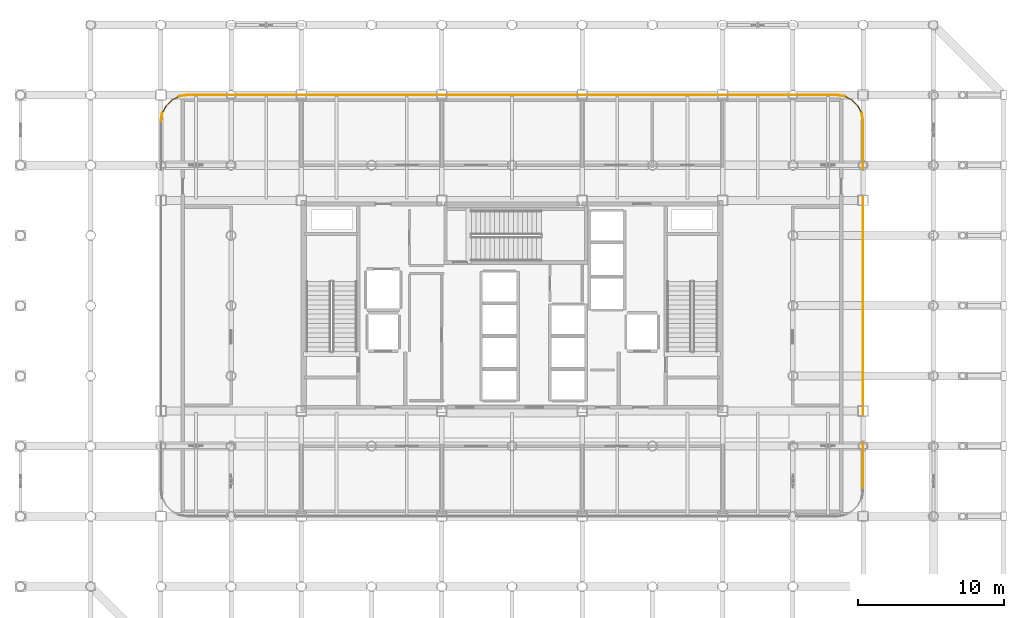
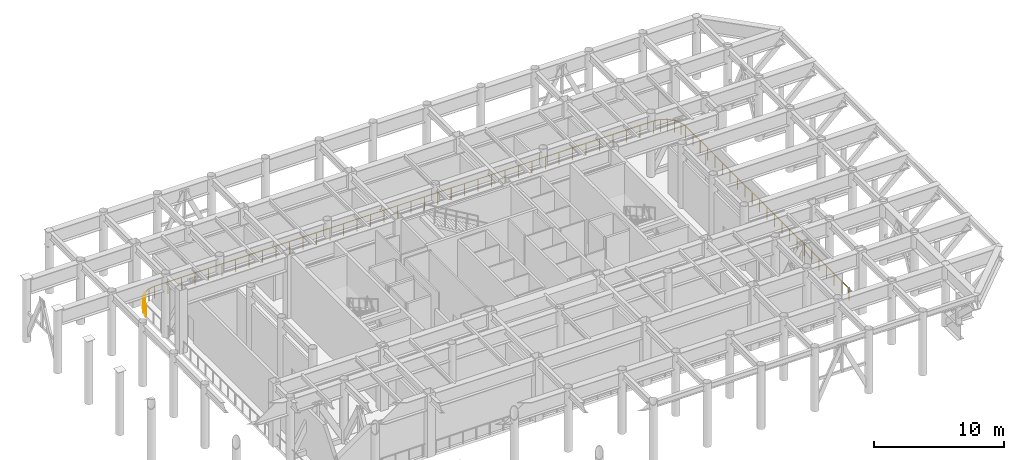
# One storey, part 20 of 20: 12 railings.
"""IFC4 building model written with IfcOpenShell, lengths in metres."""

from ifc_helpers import new_model, si_unit, direction, frame, origin, origin_2d, place, context, subcontext, project, spatial, circle, extrude, material, layer, layer_set, type_object, element, save


model = new_model("IFC4")

# Units and contexts
model_context = context("Model", 3, precision=1e-05, world=origin(), true_north=direction((0.0, 1.0)))
body_context = subcontext(model_context, "Body", "Model", "MODEL_VIEW")
ifc_project = project(units=[si_unit("LENGTHUNIT", "METRE"), si_unit("AREAUNIT", "SQUARE_METRE"), si_unit("VOLUMEUNIT", "CUBIC_METRE"), si_unit("PLANEANGLEUNIT", "RADIAN"), si_unit("MASSUNIT", "GRAM", prefix="KILO")], contexts=[model_context])

# Site, building, storey
site_placement = place(None, origin())
site = spatial("IfcSite", under=ifc_project, at=site_placement, CompositionType="ELEMENT")
building_placement = place(site_placement, origin())
building = spatial("IfcBuilding", under=site, at=building_placement, Name="Kallvorn Hotel Tower", CompositionType="ELEMENT")
storey_placement = place(building_placement, frame((0.0, 0.0, 185.5)))
storey = spatial("IfcBuildingStorey", under=building, at=storey_placement, Name="L46", CompositionType="ELEMENT", Elevation=185.5)

# Railings
ifc_material = material(Name="Galvanised painted steel S275JR balustrade", Category="steel")
ifc_layer = layer(ifc_material, 0.06005859375)
ifc_layer_set = layer_set([ifc_layer], Name="RL_WIND_GUARD_1150")
railing_type = type_object("IfcRailingType", Name="RL_WIND_GUARD_1150", PredefinedType="GUARDRAIL", material=ifc_layer_set)
railing_1_placement = place(storey_placement, frame((24.0, -12.60009765625, 0.0)))
element("IfcRailing", 1, at=railing_1_placement, inside=storey, type_object=railing_type, Name="L46 Exterior Safety Guardrail WIND-L46-06", PredefinedType="GUARDRAIL", context=body_context, shape_type="SweptSolid", body=[
    extrude(circle(Radius=0.02392578125, at=origin_2d()), frame((0.0, 0.0, 1.1259765625), z_axis=(0.0, 1.0, 0.0), x_axis=(-1.0, 0.0, 0.0)), (0.0, 0.0, 1.0), 25.2001953125),
    extrude(circle(Radius=0.02099609375, at=origin_2d()), origin(), (0.0, 0.0, 1.0), 1.101806640625),
    extrude(circle(Radius=0.02099609375, at=origin_2d()), frame((0.0, 1.1455078125, 0.0)), (0.0, 0.0, 1.0), 1.101806640625),
    extrude(circle(Radius=0.02099609375, at=origin_2d()), frame((0.0, 2.291015625, 0.0)), (0.0, 0.0, 1.0), 1.101806640625),
    extrude(circle(Radius=0.02099609375, at=origin_2d()), frame((0.0, 3.436279296875, 0.0)), (0.0, 0.0, 1.0), 1.101806640625),
    extrude(circle(Radius=0.02099609375, at=origin_2d()), frame((0.0, 4.581787109375, 0.0)), (0.0, 0.0, 1.0), 1.101806640625),
    extrude(circle(Radius=0.02099609375, at=origin_2d()), frame((0.0, 5.727294921875, 0.0)), (0.0, 0.0, 1.0), 1.101806640625),
    extrude(circle(Radius=0.02099609375, at=origin_2d()), frame((0.0, 6.872802734375, 0.0)), (0.0, 0.0, 1.0), 1.101806640625),
    extrude(circle(Radius=0.02099609375, at=origin_2d()), frame((0.0, 8.018310546875, 0.0)), (0.0, 0.0, 1.0), 1.101806640625),
    extrude(circle(Radius=0.02099609375, at=origin_2d()), frame((0.0, 9.163818359375, 0.0)), (0.0, 0.0, 1.0), 1.101806640625),
    extrude(circle(Radius=0.02099609375, at=origin_2d()), frame((0.0, 10.30908203125, 0.0)), (0.0, 0.0, 1.0), 1.101806640625),
    extrude(circle(Radius=0.02099609375, at=origin_2d()), frame((0.0, 11.45458984375, 0.0)), (0.0, 0.0, 1.0), 1.101806640625),
    extrude(circle(Radius=0.02099609375, at=origin_2d()), frame((0.0, 12.60009765625, 0.0)), (0.0, 0.0, 1.0), 1.101806640625),
    extrude(circle(Radius=0.02099609375, at=origin_2d()), frame((0.0, 13.74560546875, 0.0)), (0.0, 0.0, 1.0), 1.101806640625),
    extrude(circle(Radius=0.02099609375, at=origin_2d()), frame((0.0, 14.89111328125, 0.0)), (0.0, 0.0, 1.0), 1.101806640625),
    extrude(circle(Radius=0.02099609375, at=origin_2d()), frame((0.0, 16.036376953125, 0.0)), (0.0, 0.0, 1.0), 1.101806640625),
    extrude(circle(Radius=0.02099609375, at=origin_2d()), frame((0.0, 17.181884765625, 0.0)), (0.0, 0.0, 1.0), 1.101806640625),
    extrude(circle(Radius=0.02099609375, at=origin_2d()), frame((0.0, 18.327392578125, 0.0)), (0.0, 0.0, 1.0), 1.101806640625),
    extrude(circle(Radius=0.02099609375, at=origin_2d()), frame((0.0, 19.472900390625, 0.0)), (0.0, 0.0, 1.0), 1.101806640625),
    extrude(circle(Radius=0.02099609375, at=origin_2d()), frame((0.0, 20.618408203125, 0.0)), (0.0, 0.0, 1.0), 1.101806640625),
    extrude(circle(Radius=0.02099609375, at=origin_2d()), frame((0.0, 21.763916015625, 0.0)), (0.0, 0.0, 1.0), 1.101806640625),
    extrude(circle(Radius=0.02099609375, at=origin_2d()), frame((0.0, 22.9091796875, 0.0)), (0.0, 0.0, 1.0), 1.101806640625),
    extrude(circle(Radius=0.02099609375, at=origin_2d()), frame((0.0, 24.0546875, 0.0)), (0.0, 0.0, 1.0), 1.101806640625),
    extrude(circle(Radius=0.02099609375, at=origin_2d()), frame((0.0, 25.2001953125, 0.0)), (0.0, 0.0, 1.0), 1.101806640625),
])
railing_2_placement = place(storey_placement, frame((24.0, 12.60009765625, 0.0)))
element("IfcRailing", 2, at=railing_2_placement, inside=storey, type_object=railing_type, Name="L46 Exterior Safety Guardrail WIND-L46-07", PredefinedType="GUARDRAIL", context=body_context, shape_type="SweptSolid", body=[
    extrude(circle(Radius=0.02392578125, at=origin_2d()), frame((0.0, 0.0, 1.1259765625), z_axis=(-0.156519160234, 0.987674922472, 0.0), x_axis=(-0.987674922472, -0.156519160234, 0.0)), (0.0, 0.0, 1.0), 0.56298828125),
    extrude(circle(Radius=0.02099609375, at=origin_2d()), origin(), (0.0, 0.0, 1.0), 1.101806640625),
    extrude(circle(Radius=0.02099609375, at=origin_2d()), frame((-0.088134765625, 0.55615234375, 0.0)), (0.0, 0.0, 1.0), 1.101806640625),
])
railing_3_placement = place(storey_placement, frame((23.911865234375, 13.15625, 0.0)))
element("IfcRailing", 3, at=railing_3_placement, inside=storey, type_object=railing_type, Name="L46 Exterior Safety Guardrail WIND-L46-08", PredefinedType="GUARDRAIL", context=body_context, shape_type="SweptSolid", body=[
    extrude(circle(Radius=0.02392578125, at=origin_2d()), frame((0.0, 0.0, 1.1259765625), z_axis=(-0.453964752271, 0.89101964271, 0.0), x_axis=(-0.89101964271, -0.453964752271, 0.0)), (0.0, 0.0, 1.0), 0.56298828125),
    extrude(circle(Radius=0.02099609375, at=origin_2d()), origin(), (0.0, 0.0, 1.0), 1.101806640625),
    extrude(circle(Radius=0.02099609375, at=origin_2d()), frame((-0.255615234375, 0.501708984375, 0.0)), (0.0, 0.0, 1.0), 1.101806640625),
])
railing_4_placement = place(storey_placement, frame((23.65625, 13.657958984375, 0.0)))
element("IfcRailing", 4, at=railing_4_placement, inside=storey, type_object=railing_type, Name="L46 Exterior Safety Guardrail WIND-L46-09", PredefinedType="GUARDRAIL", context=body_context, shape_type="SweptSolid", body=[
    extrude(circle(Radius=0.02392578125, at=origin_2d()), frame((0.0, 0.0, 1.1259765625), z_axis=(-0.707106781187, 0.707106781187, 0.0), x_axis=(-0.707106781187, -0.707106781187, 0.0)), (0.0, 0.0, 1.0), 0.563232421875),
    extrude(circle(Radius=0.02099609375, at=origin_2d()), origin(), (0.0, 0.0, 1.0), 1.101806640625),
    extrude(circle(Radius=0.02099609375, at=origin_2d()), frame((-0.398193359375, 0.398193359375, 0.0)), (0.0, 0.0, 1.0), 1.101806640625),
])
railing_5_placement = place(storey_placement, frame((23.258056640625, 14.05615234375, 0.0)))
element("IfcRailing", 5, at=railing_5_placement, inside=storey, type_object=railing_type, Name="L46 Exterior Safety Guardrail WIND-L46-10", PredefinedType="GUARDRAIL", context=body_context, shape_type="SweptSolid", body=[
    extrude(circle(Radius=0.02392578125, at=origin_2d()), frame((0.0, 0.0, 1.1259765625), z_axis=(-0.89093365011, 0.454133494803, 0.0), x_axis=(-0.454133494803, -0.89093365011, 0.0)), (0.0, 0.0, 1.0), 0.5634765625),
    extrude(circle(Radius=0.02099609375, at=origin_2d()), origin(), (0.0, 0.0, 1.0), 1.101806640625),
    extrude(circle(Radius=0.02099609375, at=origin_2d()), frame((-0.501953125, 0.255859375, 0.0)), (0.0, 0.0, 1.0), 1.101806640625),
])
railing_6_placement = place(storey_placement, frame((22.756103515625, 14.31201171875, 0.0)))
element("IfcRailing", 6, at=railing_6_placement, inside=storey, type_object=railing_type, Name="L46 Exterior Safety Guardrail WIND-L46-11", PredefinedType="GUARDRAIL", context=body_context, shape_type="SweptSolid", body=[
    extrude(circle(Radius=0.02392578125, at=origin_2d()), frame((0.0, 0.0, 1.1259765625), z_axis=(-0.987741862218, 0.156096167866, 0.0), x_axis=(-0.156096167866, -0.987741862218, 0.0)), (0.0, 0.0, 1.0), 0.56298828125),
    extrude(circle(Radius=0.02099609375, at=origin_2d()), origin(), (0.0, 0.0, 1.0), 1.101806640625),
    extrude(circle(Radius=0.02099609375, at=origin_2d()), frame((-0.55615234375, 0.087890625, 0.0)), (0.0, 0.0, 1.0), 1.101806640625),
])
railing_7_placement = place(storey_placement, frame((22.199951171875, 14.39990234375, 0.0)))
element("IfcRailing", 7, at=railing_7_placement, inside=storey, type_object=railing_type, Name="L46 Exterior Safety Guardrail WIND-L46-12", PredefinedType="GUARDRAIL", context=body_context, shape_type="SweptSolid", body=[
    extrude(circle(Radius=0.02392578125, at=origin_2d()), frame((0.0, 0.0, 1.1259765625), z_axis=(-1.0, 0.0, 0.0), x_axis=(0.0, -1.0, 0.0)), (0.0, 0.0, 1.0), 44.39990234375),
    extrude(circle(Radius=0.02099609375, at=origin_2d()), origin(), (0.0, 0.0, 1.0), 1.101806640625),
    extrude(circle(Radius=0.02099609375, at=origin_2d()), frame((-1.199951171875, 0.0, 0.0)), (0.0, 0.0, 1.0), 1.101806640625),
    extrude(circle(Radius=0.02099609375, at=origin_2d()), frame((-2.39990234375, 0.0, 0.0)), (0.0, 0.0, 1.0), 1.101806640625),
    extrude(circle(Radius=0.02099609375, at=origin_2d()), frame((-3.60009765625, 0.0, 0.0)), (0.0, 0.0, 1.0), 1.101806640625),
    extrude(circle(Radius=0.02099609375, at=origin_2d()), frame((-4.800048828125, 0.0, 0.0)), (0.0, 0.0, 1.0), 1.101806640625),
    extrude(circle(Radius=0.02099609375, at=origin_2d()), frame((-6.0, 0.0, 0.0)), (0.0, 0.0, 1.0), 1.101806640625),
    extrude(circle(Radius=0.02099609375, at=origin_2d()), frame((-7.199951171875, 0.0, 0.0)), (0.0, 0.0, 1.0), 1.101806640625),
    extrude(circle(Radius=0.02099609375, at=origin_2d()), frame((-8.39990234375, 0.0, 0.0)), (0.0, 0.0, 1.0), 1.101806640625),
    extrude(circle(Radius=0.02099609375, at=origin_2d()), frame((-9.60009765625, 0.0, 0.0)), (0.0, 0.0, 1.0), 1.101806640625),
    extrude(circle(Radius=0.02099609375, at=origin_2d()), frame((-10.800048828125, 0.0, 0.0)), (0.0, 0.0, 1.0), 1.101806640625),
    extrude(circle(Radius=0.02099609375, at=origin_2d()), frame((-12.0, 0.0, 0.0)), (0.0, 0.0, 1.0), 1.101806640625),
    extrude(circle(Radius=0.02099609375, at=origin_2d()), frame((-13.199951171875, 0.0, 0.0)), (0.0, 0.0, 1.0), 1.101806640625),
    extrude(circle(Radius=0.02099609375, at=origin_2d()), frame((-14.39990234375, 0.0, 0.0)), (0.0, 0.0, 1.0), 1.101806640625),
    extrude(circle(Radius=0.02099609375, at=origin_2d()), frame((-15.599853515625, 0.0, 0.0)), (0.0, 0.0, 1.0), 1.101806640625),
    extrude(circle(Radius=0.02099609375, at=origin_2d()), frame((-16.800048828125, 0.0, 0.0)), (0.0, 0.0, 1.0), 1.101806640625),
    extrude(circle(Radius=0.02099609375, at=origin_2d()), frame((-18.0, 0.0, 0.0)), (0.0, 0.0, 1.0), 1.101806640625),
    extrude(circle(Radius=0.02099609375, at=origin_2d()), frame((-19.199951171875, 0.0, 0.0)), (0.0, 0.0, 1.0), 1.101806640625),
    extrude(circle(Radius=0.02099609375, at=origin_2d()), frame((-20.39990234375, 0.0, 0.0)), (0.0, 0.0, 1.0), 1.101806640625),
    extrude(circle(Radius=0.02099609375, at=origin_2d()), frame((-21.599853515625, 0.0, 0.0)), (0.0, 0.0, 1.0), 1.101806640625),
    extrude(circle(Radius=0.02099609375, at=origin_2d()), frame((-22.800048828125, 0.0, 0.0)), (0.0, 0.0, 1.0), 1.101806640625),
    extrude(circle(Radius=0.02099609375, at=origin_2d()), frame((-24.0, 0.0, 0.0)), (0.0, 0.0, 1.0), 1.101806640625),
    extrude(circle(Radius=0.02099609375, at=origin_2d()), frame((-25.199951171875, 0.0, 0.0)), (0.0, 0.0, 1.0), 1.101806640625),
    extrude(circle(Radius=0.02099609375, at=origin_2d()), frame((-26.39990234375, 0.0, 0.0)), (0.0, 0.0, 1.0), 1.101806640625),
    extrude(circle(Radius=0.02099609375, at=origin_2d()), frame((-27.599853515625, 0.0, 0.0)), (0.0, 0.0, 1.0), 1.101806640625),
    extrude(circle(Radius=0.02099609375, at=origin_2d()), frame((-28.800048828125, 0.0, 0.0)), (0.0, 0.0, 1.0), 1.101806640625),
    extrude(circle(Radius=0.02099609375, at=origin_2d()), frame((-30.0, 0.0, 0.0)), (0.0, 0.0, 1.0), 1.101806640625),
    extrude(circle(Radius=0.02099609375, at=origin_2d()), frame((-31.199951171875, 0.0, 0.0)), (0.0, 0.0, 1.0), 1.101806640625),
    extrude(circle(Radius=0.02099609375, at=origin_2d()), frame((-32.39990234375, 0.0, 0.0)), (0.0, 0.0, 1.0), 1.101806640625),
    extrude(circle(Radius=0.02099609375, at=origin_2d()), frame((-33.599853515625, 0.0, 0.0)), (0.0, 0.0, 1.0), 1.101806640625),
    extrude(circle(Radius=0.02099609375, at=origin_2d()), frame((-34.7998046875, 0.0, 0.0)), (0.0, 0.0, 1.0), 1.101806640625),
    extrude(circle(Radius=0.02099609375, at=origin_2d()), frame((-36.0, 0.0, 0.0)), (0.0, 0.0, 1.0), 1.101806640625),
    extrude(circle(Radius=0.02099609375, at=origin_2d()), frame((-37.199951171875, 0.0, 0.0)), (0.0, 0.0, 1.0), 1.101806640625),
    extrude(circle(Radius=0.02099609375, at=origin_2d()), frame((-38.39990234375, 0.0, 0.0)), (0.0, 0.0, 1.0), 1.101806640625),
    extrude(circle(Radius=0.02099609375, at=origin_2d()), frame((-39.599853515625, 0.0, 0.0)), (0.0, 0.0, 1.0), 1.101806640625),
    extrude(circle(Radius=0.02099609375, at=origin_2d()), frame((-40.7998046875, 0.0, 0.0)), (0.0, 0.0, 1.0), 1.101806640625),
    extrude(circle(Radius=0.02099609375, at=origin_2d()), frame((-42.0, 0.0, 0.0)), (0.0, 0.0, 1.0), 1.101806640625),
    extrude(circle(Radius=0.02099609375, at=origin_2d()), frame((-43.199951171875, 0.0, 0.0)), (0.0, 0.0, 1.0), 1.101806640625),
    extrude(circle(Radius=0.02099609375, at=origin_2d()), frame((-44.39990234375, 0.0, 0.0)), (0.0, 0.0, 1.0), 1.101806640625),
])
railing_8_placement = place(storey_placement, frame((-22.199951171875, 14.39990234375, 0.0)))
element("IfcRailing", 8, at=railing_8_placement, inside=storey, type_object=railing_type, Name="L46 Exterior Safety Guardrail WIND-L46-13", PredefinedType="GUARDRAIL", context=body_context, shape_type="SweptSolid", body=[
    extrude(circle(Radius=0.02392578125, at=origin_2d()), frame((0.0, 0.0, 1.1259765625), z_axis=(-0.987741862218, -0.156096167866, 0.0), x_axis=(0.156096167866, -0.987741862218, 0.0)), (0.0, 0.0, 1.0), 0.56298828125),
    extrude(circle(Radius=0.02099609375, at=origin_2d()), origin(), (0.0, 0.0, 1.0), 1.101806640625),
    extrude(circle(Radius=0.02099609375, at=origin_2d()), frame((-0.55615234375, -0.087890625, 0.0)), (0.0, 0.0, 1.0), 1.101806640625),
])
railing_9_placement = place(storey_placement, frame((-22.756103515625, 14.31201171875, 0.0)))
element("IfcRailing", 9, at=railing_9_placement, inside=storey, type_object=railing_type, Name="L46 Exterior Safety Guardrail WIND-L46-14", PredefinedType="GUARDRAIL", context=body_context, shape_type="SweptSolid", body=[
    extrude(circle(Radius=0.02392578125, at=origin_2d()), frame((0.0, 0.0, 1.1259765625), z_axis=(-0.89093365011, -0.454133494803, 0.0), x_axis=(0.454133494803, -0.89093365011, 0.0)), (0.0, 0.0, 1.0), 0.5634765625),
    extrude(circle(Radius=0.02099609375, at=origin_2d()), origin(), (0.0, 0.0, 1.0), 1.101806640625),
    extrude(circle(Radius=0.02099609375, at=origin_2d()), frame((-0.501953125, -0.255859375, 0.0)), (0.0, 0.0, 1.0), 1.101806640625),
])
railing_10_placement = place(storey_placement, frame((-23.258056640625, 14.05615234375, 0.0)))
element("IfcRailing", 10, at=railing_10_placement, inside=storey, type_object=railing_type, Name="L46 Exterior Safety Guardrail WIND-L46-15", PredefinedType="GUARDRAIL", context=body_context, shape_type="SweptSolid", body=[
    extrude(circle(Radius=0.02392578125, at=origin_2d()), frame((0.0, 0.0, 1.1259765625), z_axis=(-0.707106781187, -0.707106781187, 0.0), x_axis=(0.707106781187, -0.707106781187, 0.0)), (0.0, 0.0, 1.0), 0.563232421875),
    extrude(circle(Radius=0.02099609375, at=origin_2d()), origin(), (0.0, 0.0, 1.0), 1.101806640625),
    extrude(circle(Radius=0.02099609375, at=origin_2d()), frame((-0.398193359375, -0.398193359375, 0.0)), (0.0, 0.0, 1.0), 1.101806640625),
])
railing_11_placement = place(storey_placement, frame((-23.65625, 13.657958984375, 0.0)))
element("IfcRailing", 11, at=railing_11_placement, inside=storey, type_object=railing_type, Name="L46 Exterior Safety Guardrail WIND-L46-16", PredefinedType="GUARDRAIL", context=body_context, shape_type="SweptSolid", body=[
    extrude(circle(Radius=0.02392578125, at=origin_2d()), frame((0.0, 0.0, 1.1259765625), z_axis=(-0.453964752271, -0.89101964271, 0.0), x_axis=(0.89101964271, -0.453964752271, 0.0)), (0.0, 0.0, 1.0), 0.56298828125),
    extrude(circle(Radius=0.02099609375, at=origin_2d()), origin(), (0.0, 0.0, 1.0), 1.101806640625),
    extrude(circle(Radius=0.02099609375, at=origin_2d()), frame((-0.255615234375, -0.501708984375, 0.0)), (0.0, 0.0, 1.0), 1.101806640625),
])
railing_12_placement = place(storey_placement, frame((-23.911865234375, 13.15625, 0.0)))
element("IfcRailing", 12, at=railing_12_placement, inside=storey, type_object=railing_type, Name="L46 Exterior Safety Guardrail WIND-L46-17", PredefinedType="GUARDRAIL", context=body_context, shape_type="SweptSolid", body=[
    extrude(circle(Radius=0.02392578125, at=origin_2d()), frame((0.0, 0.0, 1.1259765625), z_axis=(-0.156519160234, -0.987674922472, 0.0), x_axis=(0.987674922472, -0.156519160234, 0.0)), (0.0, 0.0, 1.0), 0.56298828125),
    extrude(circle(Radius=0.02099609375, at=origin_2d()), origin(), (0.0, 0.0, 1.0), 1.101806640625),
    extrude(circle(Radius=0.02099609375, at=origin_2d()), frame((-0.088134765625, -0.55615234375, 0.0)), (0.0, 0.0, 1.0), 1.101806640625),
])

save(model, "model.ifc")
